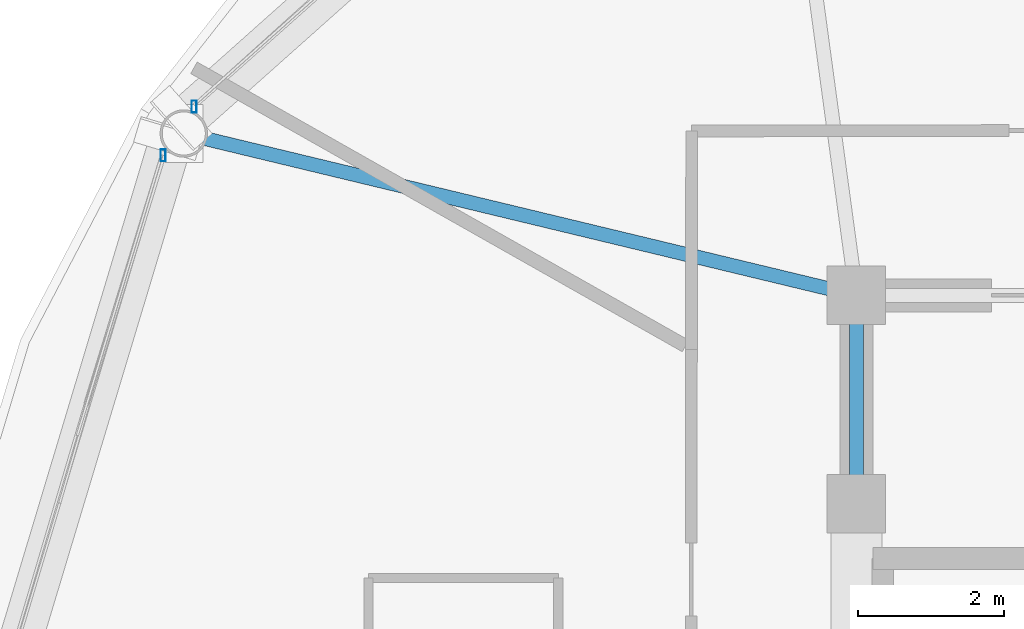
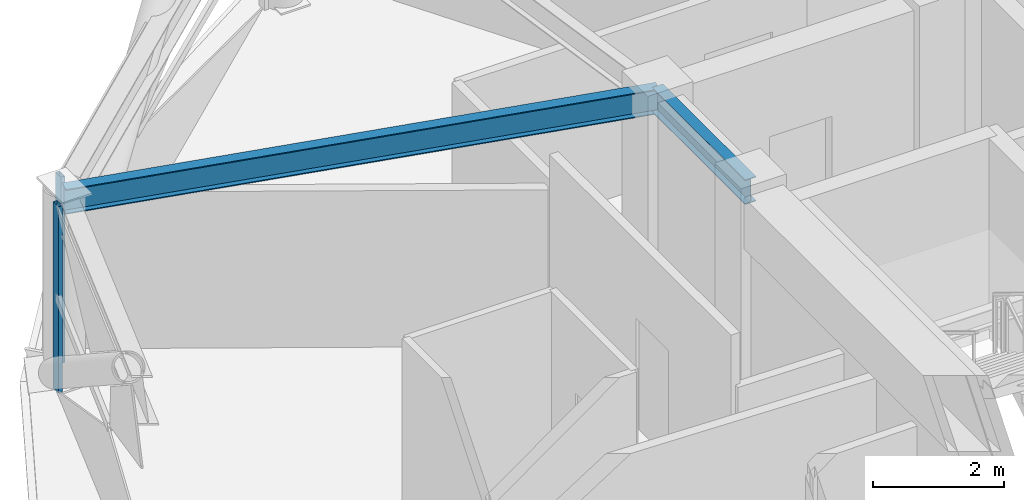
# One storey, part 9 of 29: 2 beams, 2 members, 2 elements without a shape of their own.
"""IFC4 building model written with IfcOpenShell, lengths in metres."""

from ifc_helpers import new_model, si_unit, direction, frame, origin, origin_2d, place, context, subcontext, project, spatial, hollow_rectangle, i_section, extrude, material, layer, layer_set, material_profile, profile_set, type_object, element, aggregate, save


model = new_model("IFC4")

# Units and contexts
model_context = context("Model", 3, precision=1e-05, world=origin(), true_north=direction((0.0, 1.0)))
body_context = subcontext(model_context, "Body", "Model", "MODEL_VIEW")
ifc_project = project(units=[si_unit("LENGTHUNIT", "METRE"), si_unit("AREAUNIT", "SQUARE_METRE"), si_unit("VOLUMEUNIT", "CUBIC_METRE"), si_unit("PLANEANGLEUNIT", "RADIAN"), si_unit("MASSUNIT", "GRAM", prefix="KILO")], contexts=[model_context])

# Site, building, storey
site_placement = place(None, origin())
site = spatial("IfcSite", under=ifc_project, at=site_placement, CompositionType="ELEMENT")
building_placement = place(site_placement, origin())
building = spatial("IfcBuilding", under=site, at=building_placement, Name="Vantalir Tower", CompositionType="ELEMENT")
storey_placement = place(building_placement, frame((0.0, 0.0, 234.89990234375)))
storey = spatial("IfcBuildingStorey", under=building, at=storey_placement, Name="L59", CompositionType="ELEMENT", Elevation=234.89990234375)

# Beams
ifc_material_1 = material(Name="Steel S355", Category="steel")
ifc_material_profile_1 = material_profile(ifc_material_1, i_section(OverallWidth=0.19189453125, OverallDepth=0.462890625, WebThickness=0.010498046875, FlangeThickness=0.017578125, at=origin_2d()), Name="Steel S355")
ifc_profile_set_1 = profile_set([ifc_material_profile_1], Name="Steel S355")
beam_type = type_object("IfcBeamType", Name="BM-RB-457x191", PredefinedType="BEAM", material=ifc_profile_set_1)
beam_1_placement = place(storey_placement, frame((21.89990234375, 32.449951171875, 3.338134765625), z_axis=(0.0, -1.0, 0.0), x_axis=(1.0, 0.0, 0.0)))
element("IfcBeam", 1, at=beam_1_placement, inside=storey, type_object=beam_type, Name="L59 Core Coupling Girder 12", PredefinedType="BEAM", context=body_context, shape_type="SweptSolid", body=[
    extrude(i_section(OverallWidth=0.19189453125, OverallDepth=0.462890625, WebThickness=0.010498046875, FlangeThickness=0.017578125, at=origin_2d()), origin(), (0.0, 0.0, 1.0), 2.849853515625),
])
beam_2_placement = place(storey_placement, frame((12.69189453125, 34.666015625, 3.338134765625), z_axis=(0.972239928785, -0.233986155308, 0.0), x_axis=(0.233986155308, 0.972239928785, 0.0)))
element("IfcBeam", 2, at=beam_2_placement, inside=storey, type_object=beam_type, Name="L59 Radial Floor Beam 06", PredefinedType="BEAM", context=body_context, shape_type="SweptSolid", body=[
    extrude(i_section(OverallWidth=0.19189453125, OverallDepth=0.462890625, WebThickness=0.010498046875, FlangeThickness=0.017578125, at=origin_2d()), origin(), (0.0, 0.0, 1.0), 9.470947265625),
])

# Curtain wall, member
ifc_material_2 = material(Name="Champagne-silver PVDF aluminium and double-silver Low-E glass", Category="aluminium")
ifc_layer = layer(ifc_material_2, 0.2099609375)
ifc_layer_set = layer_set([ifc_layer], Name="Champagne-silver PVDF aluminium and double-silver Low-E glass")
curtain_wall_type = type_object("IfcCurtainWallType", Name="CW-DIAMOND-Z3", PredefinedType="USERDEFINED", material=ifc_layer_set)
curtain_wall_1_placement = place(storey_placement, origin())
curtain_wall_1 = element("IfcCurtainWall", 3, at=curtain_wall_1_placement, inside=storey, type_object=curtain_wall_type, Name="L59 Quilted Pyramid-Diamond Curtain Wall S05", ObjectType="UNITISED CURTAIN WALL", PredefinedType="USERDEFINED")
ifc_material_3 = material(Name="Champagne-silver PVDF aluminium 6063-T6", Category="aluminium")
ifc_material_profile_2 = material_profile(ifc_material_3, hollow_rectangle(XDim=0.070068359375, YDim=0.1650390625, WallThickness=0.00390625, at=origin_2d()), Name="Champagne-silver PVDF aluminium 6063-T6")
ifc_profile_set_2 = profile_set([ifc_material_profile_2], Name="Champagne-silver PVDF aluminium 6063-T6")
member_type = type_object("IfcMemberType", Name="CWM-165x70", PredefinedType="MULLION", material=ifc_profile_set_2)
member_1_placement = place(storey_placement, frame((12.8330078125, 35.033935546875, 0.045166015625), z_axis=(0.0, 0.0, 1.0), x_axis=(1.0, 0.0, 0.0)))
member_1 = element("IfcMember", 4, at=member_1_placement, type_object=member_type, Name="CW-L59-S05 Mullion 2", PredefinedType="MULLION", context=body_context, shape_type="SweptSolid", body=[
    extrude(hollow_rectangle(XDim=0.070068359375, YDim=0.1650390625, WallThickness=0.00390625, at=origin_2d()), origin(), (0.0, 0.0, 1.0), 3.47998046875),
])
aggregate(curtain_wall_1, [member_1])

curtain_wall_2_placement = place(storey_placement, origin())
curtain_wall_2 = element("IfcCurtainWall", 5, at=curtain_wall_2_placement, inside=storey, type_object=curtain_wall_type, Name="L59 Quilted Pyramid-Diamond Curtain Wall S06", ObjectType="UNITISED CURTAIN WALL", PredefinedType="USERDEFINED")
member_2_placement = place(storey_placement, frame((12.408935546875, 34.367919921875, 0.045166015625), z_axis=(0.0, 0.0, 1.0), x_axis=(1.0, 0.0, 0.0)))
member_2 = element("IfcMember", 6, at=member_2_placement, type_object=member_type, Name="CW-L59-S06 Mullion 1", PredefinedType="MULLION", context=body_context, shape_type="SweptSolid", body=[
    extrude(hollow_rectangle(XDim=0.070068359375, YDim=0.1650390625, WallThickness=0.00390625, at=origin_2d()), origin(), (0.0, 0.0, 1.0), 3.47998046875),
])
aggregate(curtain_wall_2, [member_2])

save(model, "model.ifc")
